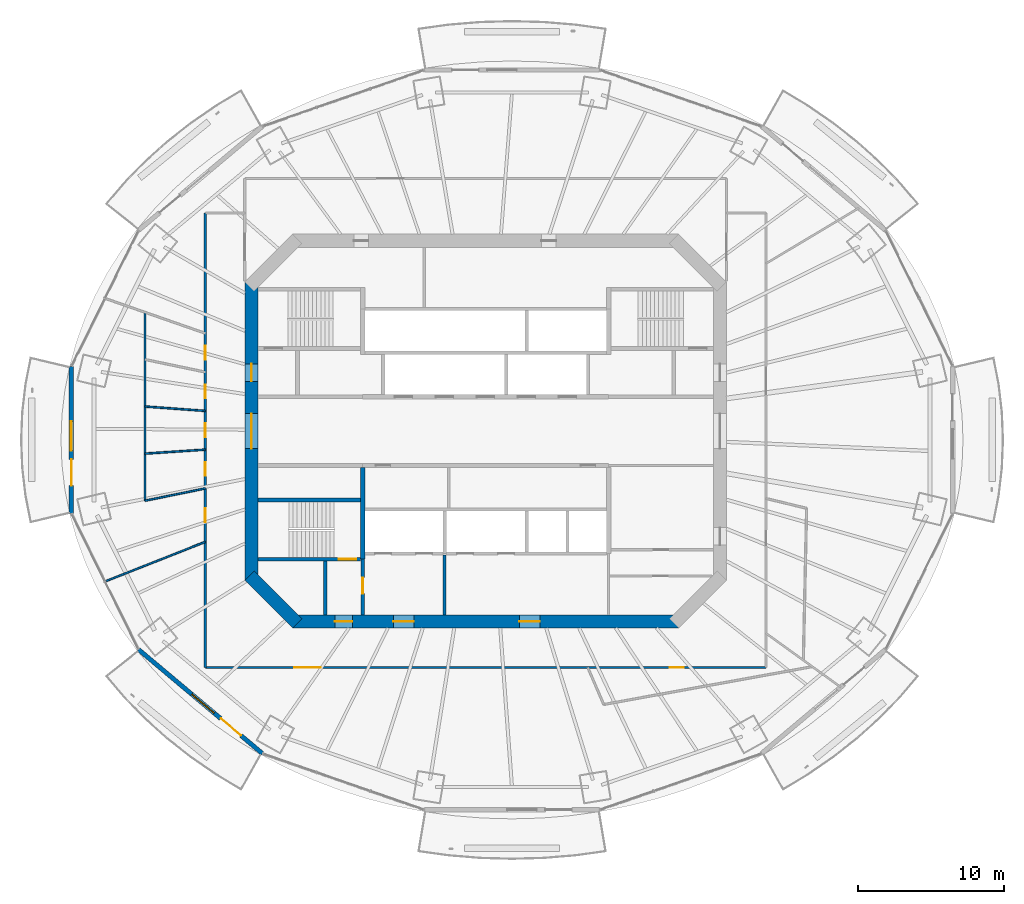
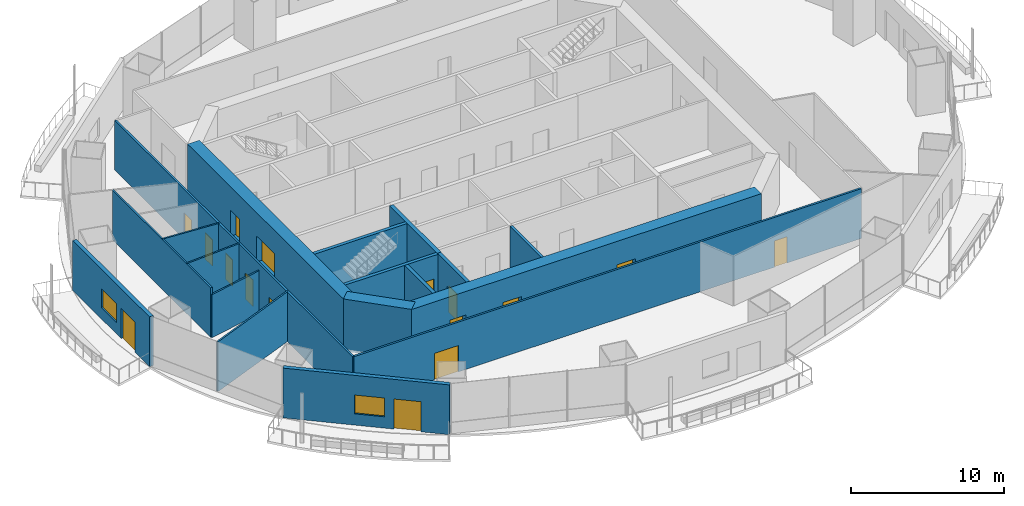
# One storey, part 10 of 19: 18 walls, 16 doors, 2 windows, 18 openings.
"""IFC4 building model written with IfcOpenShell, lengths in metres."""

from ifc_helpers import new_model, si_unit, direction, frame, frame_2d, origin, place, context, subcontext, project, spatial, rectangle, extrude, material, layer, layer_set, type_object, element, fill, save


model = new_model("IFC4")

# Units and contexts
model_context = context("Model", 3, precision=1e-05, world=origin(), true_north=direction((0.0, 1.0)))
body_context = subcontext(model_context, "Body", "Model", "MODEL_VIEW")
ifc_project = project(units=[si_unit("LENGTHUNIT", "METRE"), si_unit("AREAUNIT", "SQUARE_METRE"), si_unit("VOLUMEUNIT", "CUBIC_METRE"), si_unit("PLANEANGLEUNIT", "RADIAN"), si_unit("MASSUNIT", "GRAM", prefix="KILO")], contexts=[model_context])

# Site, building, storey
site_placement = place(None, origin())
site = spatial("IfcSite", under=ifc_project, at=site_placement, CompositionType="ELEMENT")
building_placement = place(site_placement, origin())
building = spatial("IfcBuilding", under=site, at=building_placement, Name="Marenthal Gate Tower", CompositionType="ELEMENT")
storey_placement = place(building_placement, frame((0.0, 0.0, 227.449951171875)))
storey = spatial("IfcBuildingStorey", under=building, at=storey_placement, Name="L50", CompositionType="ELEMENT", Elevation=227.449951171875)

# Wall, openings, doors
ifc_material_1 = material(Name="Concrete 60 MPa", Category="concrete")
ifc_layer_1 = layer(ifc_material_1, 0.89990234375)
ifc_layer_set_1 = layer_set([ifc_layer_1], Name="Core shear wall 900")
wall_type_1 = type_object("IfcWallType", Name="Core shear wall 900", PredefinedType="SHEAR", material=ifc_layer_set_1)
wall_1_placement = place(storey_placement, frame((-16.0, 10.186279296875, -0.179931640625), z_axis=(0.0, 0.0, 1.0), x_axis=(0.0, -1.0, 0.0)))
wall_1 = element("IfcWall", 1, at=wall_1_placement, inside=storey, type_object=wall_type_1, Name="Core wall 06", PredefinedType="SHEAR", context=body_context, shape_type="SweptSolid", body=[
    extrude(rectangle(XDim=20.37255859375, YDim=0.89990234375, at=frame_2d((10.186279296875, 0.0))), origin(), (0.0, 0.0, 1.0), 4.14990234375),
])
opening_1_placement = place(wall_1_placement, frame((8.986328125, 0.0, 0.179931640625)))
opening_1 = element("IfcOpeningElement", 2, at=opening_1_placement, cuts=wall_1, Name="Opening D003.01", PredefinedType="OPENING", context=body_context, shape_type="SweptSolid", body=[
    extrude(rectangle(XDim=2.39990234375, YDim=2.10009765625, at=frame_2d((1.199951171875, 1.050048828125))), frame((0.0, 0.4599609375, 0.0), z_axis=(0.0, -1.0, 0.0), x_axis=(1.0, 0.0, 0.0)), (0.0, 0.0, 1.0), 0.919921875),
])
opening_2_placement = place(wall_1_placement, frame((5.58642578125, 0.0, 0.179931640625)))
opening_2 = element("IfcOpeningElement", 3, at=opening_2_placement, cuts=wall_1, Name="Opening D001.04", PredefinedType="OPENING", context=body_context, shape_type="SweptSolid", body=[
    extrude(rectangle(XDim=1.199951171875, YDim=2.10009765625, at=frame_2d((0.60009765625, 1.050048828125))), frame((0.0, 0.4599609375, 0.0), z_axis=(0.0, -1.0, 0.0), x_axis=(1.0, 0.0, 0.0)), (0.0, 0.0, 1.0), 0.919921875),
])
ifc_material_2 = material(Name="Steel fire door", Category="steel")
door_type_1 = type_object("IfcDoorType", Name="Double fire door FD 45 2400 x 2100", OperationType="DOUBLE_DOOR_SINGLE_SWING", PredefinedType="DOOR", material=ifc_material_2)
door_1_placement = place(opening_1_placement, origin())
door_1 = element("IfcDoor", 4, at=door_1_placement, inside=storey, type_object=door_type_1, Name="Door D003.01", OperationType="DOUBLE_DOOR_SINGLE_SWING", OverallHeight=2.10009765625, OverallWidth=2.39990234375, PredefinedType="DOOR", context=body_context, shape_type="SweptSolid", body=[
    extrude(rectangle(XDim=2.39990234375, YDim=2.10009765625, at=frame_2d((1.199951171875, 1.050048828125))), frame((0.0, 0.02490234375, 0.0), z_axis=(0.0, -1.0, 0.0), x_axis=(1.0, 0.0, 0.0)), (0.0, 0.0, 1.0), 0.050048828125),
])
fill(opening_1, door_1)
ifc_material_3 = material(Name="Steel fire door", Category="steel")
door_type_2 = type_object("IfcDoorType", Name="Fire door FD 90 1200 x 2100", OperationType="NOTDEFINED", PredefinedType="DOOR", material=ifc_material_3)
door_2_placement = place(opening_2_placement, origin())
door_2 = element("IfcDoor", 5, at=door_2_placement, inside=storey, type_object=door_type_2, Name="Door D001.04", OperationType="SINGLE_SWING_RIGHT", OverallHeight=2.10009765625, OverallWidth=1.199951171875, PredefinedType="DOOR", context=body_context, shape_type="SweptSolid", body=[
    extrude(rectangle(XDim=1.199951171875, YDim=2.10009765625, at=frame_2d((0.60009765625, 1.050048828125))), frame((0.0, 0.02490234375, 0.0), z_axis=(0.0, -1.0, 0.0), x_axis=(1.0, 0.0, 0.0)), (0.0, 0.0, 1.0), 0.050048828125),
])
fill(opening_2, door_2)

# Wall
wall_2_placement = place(storey_placement, frame((-16.1318359375, -9.8681640625, -0.179931640625), z_axis=(0.0, 0.0, 1.0), x_axis=(0.707106781187, -0.707106781187, 0.0)))
element("IfcWall", 6, at=wall_2_placement, inside=storey, type_object=wall_type_1, Name="Core wall 07", PredefinedType="SHEAR", context=body_context, shape_type="SweptSolid", body=[
    extrude(rectangle(XDim=4.615478515625, YDim=0.89990234375, at=frame_2d((2.3076171875, 0.0))), origin(), (0.0, 0.0, 1.0), 4.14990234375),
])

# Wall, openings, doors
wall_3_placement = place(storey_placement, frame((-13.186279296875, -13.0, -0.179931640625), z_axis=(0.0, 0.0, 1.0), x_axis=(1.0, 0.0, 0.0)))
wall_3 = element("IfcWall", 7, at=wall_3_placement, inside=storey, type_object=wall_type_1, Name="Core wall 08", PredefinedType="SHEAR", context=body_context, shape_type="SweptSolid", body=[
    extrude(rectangle(XDim=26.37255859375, YDim=0.89990234375, at=frame_2d((13.186279296875, 0.0))), origin(), (0.0, 0.0, 1.0), 4.14990234375),
])
opening_3_placement = place(wall_3_placement, frame((2.886474609375, 0.0, 0.179931640625)))
opening_3 = element("IfcOpeningElement", 8, at=opening_3_placement, cuts=wall_3, Name="Opening D001.06", PredefinedType="OPENING", context=body_context, shape_type="SweptSolid", body=[
    extrude(rectangle(XDim=1.199951171875, YDim=2.10009765625, at=frame_2d((0.60009765625, 1.050048828125))), frame((0.0, 0.4599609375, 0.0), z_axis=(0.0, -1.0, 0.0), x_axis=(1.0, 0.0, 0.0)), (0.0, 0.0, 1.0), 0.919921875),
])
opening_4_placement = place(wall_3_placement, frame((6.886474609375, 0.0, 0.179931640625)))
opening_4 = element("IfcOpeningElement", 9, at=opening_4_placement, cuts=wall_3, Name="Opening D004.01", PredefinedType="OPENING", context=body_context, shape_type="SweptSolid", body=[
    extrude(rectangle(XDim=1.39990234375, YDim=2.10009765625, at=frame_2d((0.699951171875, 1.050048828125))), frame((0.0, 0.4599609375, 0.0), z_axis=(0.0, -1.0, 0.0), x_axis=(1.0, 0.0, 0.0)), (0.0, 0.0, 1.0), 0.919921875),
])
opening_5_placement = place(wall_3_placement, frame((15.486328125, 0.0, 0.179931640625)))
opening_5 = element("IfcOpeningElement", 10, at=opening_5_placement, cuts=wall_3, Name="Opening D004.02", PredefinedType="OPENING", context=body_context, shape_type="SweptSolid", body=[
    extrude(rectangle(XDim=1.39990234375, YDim=2.10009765625, at=frame_2d((0.699951171875, 1.050048828125))), frame((0.0, 0.4599609375, 0.0), z_axis=(0.0, -1.0, 0.0), x_axis=(1.0, 0.0, 0.0)), (0.0, 0.0, 1.0), 0.919921875),
])
ifc_material_4 = material(Name="Steel fire door", Category="steel")
door_type_3 = type_object("IfcDoorType", Name="Fire door FD 45 1400 x 2100", OperationType="NOTDEFINED", PredefinedType="DOOR", material=ifc_material_4)
door_3_placement = place(opening_4_placement, origin())
door_3 = element("IfcDoor", 11, at=door_3_placement, inside=storey, type_object=door_type_3, Name="Door D004.01", OperationType="SINGLE_SWING_RIGHT", OverallHeight=2.10009765625, OverallWidth=1.39990234375, PredefinedType="DOOR", context=body_context, shape_type="SweptSolid", body=[
    extrude(rectangle(XDim=1.39990234375, YDim=2.10009765625, at=frame_2d((0.699951171875, 1.050048828125))), frame((0.0, 0.02490234375, 0.0), z_axis=(0.0, -1.0, 0.0), x_axis=(1.0, 0.0, 0.0)), (0.0, 0.0, 1.0), 0.050048828125),
])
fill(opening_4, door_3)
door_4_placement = place(opening_5_placement, origin())
door_4 = element("IfcDoor", 12, at=door_4_placement, inside=storey, type_object=door_type_3, Name="Door D004.02", OperationType="SINGLE_SWING_RIGHT", OverallHeight=2.10009765625, OverallWidth=1.39990234375, PredefinedType="DOOR", context=body_context, shape_type="SweptSolid", body=[
    extrude(rectangle(XDim=1.39990234375, YDim=2.10009765625, at=frame_2d((0.699951171875, 1.050048828125))), frame((0.0, 0.02490234375, 0.0), z_axis=(0.0, -1.0, 0.0), x_axis=(1.0, 0.0, 0.0)), (0.0, 0.0, 1.0), 0.050048828125),
])
fill(opening_5, door_4)
door_5_placement = place(opening_3_placement, origin())
door_5 = element("IfcDoor", 13, at=door_5_placement, inside=storey, type_object=door_type_2, Name="Door D001.06", OperationType="SINGLE_SWING_RIGHT", OverallHeight=2.10009765625, OverallWidth=1.199951171875, PredefinedType="DOOR", context=body_context, shape_type="SweptSolid", body=[
    extrude(rectangle(XDim=1.199951171875, YDim=2.10009765625, at=frame_2d((0.60009765625, 1.050048828125))), frame((0.0, 0.02490234375, 0.0), z_axis=(0.0, -1.0, 0.0), x_axis=(1.0, 0.0, 0.0)), (0.0, 0.0, 1.0), 0.050048828125),
])
fill(opening_3, door_5)

# Walls
ifc_material_5 = material(Name="Gypsum board on steel studs", Category="steel")
ifc_layer_2 = layer(ifc_material_5, 0.199951171875)
ifc_layer_set_2 = layer_set([ifc_layer_2], Name="Fire lobby wall 200")
wall_type_2 = type_object("IfcWallType", Name="Fire lobby wall 200", PredefinedType="PARTITIONING", material=ifc_layer_set_2)
wall_4_placement = place(storey_placement, frame((-2.800048828125, -12.550048828125, 0.0), z_axis=(0.0, 0.0, 1.0), x_axis=(0.0, 1.0, 0.0)))
element("IfcWall", 14, at=wall_4_placement, inside=storey, type_object=wall_type_2, Name="Fire wall 36", PredefinedType="PARTITIONING", context=body_context, shape_type="SweptSolid", body=[
    extrude(rectangle(XDim=4.090087890625, YDim=0.199951171875, at=frame_2d((2.044921875, 0.0))), origin(), (0.0, 0.0, 1.0), 3.969970703125),
])
ifc_material_6 = material(Name="Concrete 50 MPa", Category="concrete")
ifc_layer_3 = layer(ifc_material_6, 0.300048828125)
ifc_layer_set_3 = layer_set([ifc_layer_3], Name="Hoistway shear wall 300")
wall_type_3 = type_object("IfcWallType", Name="Hoistway shear wall 300", PredefinedType="SHEAR", material=ifc_layer_set_3)
wall_5_placement = place(storey_placement, frame((-8.39990234375, -8.75, -0.179931640625), z_axis=(0.0, 0.0, 1.0), x_axis=(0.0, 1.0, 0.0)))
element("IfcWall", 15, at=wall_5_placement, inside=storey, type_object=wall_type_3, Name="Hoistway wall 31", PredefinedType="SHEAR", context=body_context, shape_type="SweptSolid", body=[
    extrude(rectangle(XDim=6.25, YDim=0.300048828125, at=frame_2d((3.125, 0.0))), origin(), (0.0, 0.0, 1.0), 4.14990234375),
])
ifc_material_7 = material(Name="Gypsum board on steel studs", Category="steel")
ifc_layer_4 = layer(ifc_material_7, 0.1201171875)
ifc_layer_set_4 = layer_set([ifc_layer_4], Name="Partition 120")
wall_type_4 = type_object("IfcWallType", Name="Partition 120", PredefinedType="PARTITIONING", material=ifc_layer_set_4)
wall_6_placement = place(storey_placement, frame((-23.264404296875, -4.751953125, 0.0), z_axis=(0.0, 0.0, 1.0), x_axis=(0.979774293951, 0.200105804295, 0.0)))
element("IfcWall", 16, at=wall_6_placement, inside=storey, type_object=wall_type_4, Name="Partition wall 49", PredefinedType="PARTITIONING", context=body_context, shape_type="SweptSolid", body=[
    extrude(rectangle(XDim=4.199462890625, YDim=0.1201171875, at=frame_2d((2.099609375, 0.0))), origin(), (0.0, 0.0, 1.0), 3.43408203125),
])
wall_7_placement = place(storey_placement, frame((-23.264404296875, -1.535400390625, 0.0), z_axis=(0.0, 0.0, 1.0), x_axis=(0.99783024909, 0.065839152494, 0.0)))
element("IfcWall", 17, at=wall_7_placement, inside=storey, type_object=wall_type_4, Name="Partition wall 50", PredefinedType="PARTITIONING", context=body_context, shape_type="SweptSolid", body=[
    extrude(rectangle(XDim=4.12353515625, YDim=0.1201171875, at=frame_2d((2.061767578125, 0.0))), origin(), (0.0, 0.0, 1.0), 3.969970703125),
])
wall_8_placement = place(storey_placement, frame((-23.264404296875, 1.680908203125, 0.0), z_axis=(0.0, 0.0, 1.0), x_axis=(0.997402818869, -0.07202511307, 0.0)))
element("IfcWall", 18, at=wall_8_placement, inside=storey, type_object=wall_type_4, Name="Partition wall 51", PredefinedType="PARTITIONING", context=body_context, shape_type="SweptSolid", body=[
    extrude(rectangle(XDim=4.125244140625, YDim=0.1201171875, at=frame_2d((2.0625, 0.0))), origin(), (0.0, 0.0, 1.0), 3.969970703125),
])
wall_9_placement = place(storey_placement, frame((-23.264404296875, 8.11376953125, 0.0), z_axis=(0.0, 0.0, 1.0), x_axis=(0.0, -1.0, 0.0)))
element("IfcWall", 19, at=wall_9_placement, inside=storey, type_object=wall_type_4, Name="Partition wall 53", PredefinedType="PARTITIONING", context=body_context, shape_type="SweptSolid", body=[
    extrude(rectangle(XDim=12.86572265625, YDim=0.1201171875, at=frame_2d((6.432861328125, 0.0))), origin(), (0.0, 0.0, 1.0), 3.969970703125),
])
wall_10_placement = place(storey_placement, frame((-19.14990234375, -7.5625, 0.0), z_axis=(0.0, 0.0, 1.0), x_axis=(-0.930098365243, -0.367310537518, 0.0)))
element("IfcWall", 20, at=wall_10_placement, inside=storey, type_object=wall_type_4, Name="Partition wall 55", PredefinedType="PARTITIONING", context=body_context, shape_type="SweptSolid", body=[
    extrude(rectangle(XDim=7.37255859375, YDim=0.1201171875, at=frame_2d((3.686279296875, 0.0))), origin(), (0.0, 0.0, 1.0), 3.969970703125),
])

# Wall, openings, doors
ifc_material_8 = material(Name="Gypsum board on steel studs", Category="steel")
ifc_layer_5 = layer(ifc_material_8, 0.14990234375)
ifc_layer_set_5 = layer_set([ifc_layer_5], Name="Partition 150")
wall_type_5 = type_object("IfcWallType", Name="Partition 150", PredefinedType="PARTITIONING", material=ifc_layer_set_5)
wall_11_placement = place(storey_placement, frame((-19.14990234375, -16.14990234375, 0.0), z_axis=(0.0, 0.0, 1.0), x_axis=(0.0, 1.0, 0.0)))
wall_11 = element("IfcWall", 21, at=wall_11_placement, inside=storey, type_object=wall_type_5, Name="Partition wall 54", PredefinedType="PARTITIONING", context=body_context, shape_type="SweptSolid", body=[
    extrude(rectangle(XDim=31.0498046875, YDim=0.14990234375, at=frame_2d((15.52490234375, 0.0))), origin(), (0.0, 0.0, 1.0), 3.969970703125),
])
opening_6_placement = place(wall_11_placement, frame((21.030029296875, 0.0, 0.0)))
opening_6 = element("IfcOpeningElement", 22, at=opening_6_placement, cuts=wall_11, Name="Opening D016.01", PredefinedType="OPENING", context=body_context, shape_type="SweptSolid", body=[
    extrude(rectangle(XDim=0.949951171875, YDim=2.10009765625, at=frame_2d((0.47509765625, 1.050048828125))), frame((0.0, 0.0849609375, 0.0), z_axis=(0.0, -1.0, 0.0), x_axis=(1.0, 0.0, 0.0)), (0.0, 0.0, 1.0), 0.169921875),
])
opening_7_placement = place(wall_11_placement, frame((18.382080078125, 0.0, 0.0)))
opening_7 = element("IfcOpeningElement", 23, at=opening_7_placement, cuts=wall_11, Name="Opening D016.02", PredefinedType="OPENING", context=body_context, shape_type="SweptSolid", body=[
    extrude(rectangle(XDim=0.949951171875, YDim=2.10009765625, at=frame_2d((0.47509765625, 1.050048828125))), frame((0.0, 0.0849609375, 0.0), z_axis=(0.0, -1.0, 0.0), x_axis=(1.0, 0.0, 0.0)), (0.0, 0.0, 1.0), 0.169921875),
])
opening_8_placement = place(wall_11_placement, frame((15.735107421875, 0.0, 0.0)))
opening_8 = element("IfcOpeningElement", 24, at=opening_8_placement, cuts=wall_11, Name="Opening D016.03", PredefinedType="OPENING", context=body_context, shape_type="SweptSolid", body=[
    extrude(rectangle(XDim=0.949951171875, YDim=2.10009765625, at=frame_2d((0.47509765625, 1.050048828125))), frame((0.0, 0.0849609375, 0.0), z_axis=(0.0, -1.0, 0.0), x_axis=(1.0, 0.0, 0.0)), (0.0, 0.0, 1.0), 0.169921875),
])
opening_9_placement = place(wall_11_placement, frame((13.0869140625, 0.0, 0.0)))
opening_9 = element("IfcOpeningElement", 25, at=opening_9_placement, cuts=wall_11, Name="Opening D016.04", PredefinedType="OPENING", context=body_context, shape_type="SweptSolid", body=[
    extrude(rectangle(XDim=0.949951171875, YDim=2.10009765625, at=frame_2d((0.47509765625, 1.050048828125))), frame((0.0, 0.0849609375, 0.0), z_axis=(0.0, -1.0, 0.0), x_axis=(1.0, 0.0, 0.0)), (0.0, 0.0, 1.0), 0.169921875),
])
opening_10_placement = place(wall_11_placement, frame((9.93798828125, 0.0, 0.0)))
opening_10 = element("IfcOpeningElement", 26, at=opening_10_placement, cuts=wall_11, Name="Opening D016.05", PredefinedType="OPENING", context=body_context, shape_type="SweptSolid", body=[
    extrude(rectangle(XDim=0.949951171875, YDim=2.10009765625, at=frame_2d((0.47509765625, 1.050048828125))), frame((0.0, 0.0849609375, 0.0), z_axis=(0.0, -1.0, 0.0), x_axis=(1.0, 0.0, 0.0)), (0.0, 0.0, 1.0), 0.169921875),
])
ifc_material_9 = material(Name="Timber door", Category="wood")
door_type_4 = type_object("IfcDoorType", Name="Door 950 x 2100", OperationType="NOTDEFINED", PredefinedType="DOOR", material=ifc_material_9)
door_6_placement = place(opening_6_placement, origin())
door_6 = element("IfcDoor", 27, at=door_6_placement, inside=storey, type_object=door_type_4, Name="Door D016.01", OperationType="SINGLE_SWING_RIGHT", OverallHeight=2.10009765625, OverallWidth=0.949951171875, PredefinedType="DOOR", context=body_context, shape_type="SweptSolid", body=[
    extrude(rectangle(XDim=0.949951171875, YDim=2.10009765625, at=frame_2d((0.47509765625, 1.050048828125))), frame((0.0, 0.02490234375, 0.0), z_axis=(0.0, -1.0, 0.0), x_axis=(1.0, 0.0, 0.0)), (0.0, 0.0, 1.0), 0.050048828125),
])
fill(opening_6, door_6)
door_7_placement = place(opening_7_placement, origin())
door_7 = element("IfcDoor", 28, at=door_7_placement, inside=storey, type_object=door_type_4, Name="Door D016.02", OperationType="SINGLE_SWING_RIGHT", OverallHeight=2.10009765625, OverallWidth=0.949951171875, PredefinedType="DOOR", context=body_context, shape_type="SweptSolid", body=[
    extrude(rectangle(XDim=0.949951171875, YDim=2.10009765625, at=frame_2d((0.47509765625, 1.050048828125))), frame((0.0, 0.02490234375, 0.0), z_axis=(0.0, -1.0, 0.0), x_axis=(1.0, 0.0, 0.0)), (0.0, 0.0, 1.0), 0.050048828125),
])
fill(opening_7, door_7)
door_8_placement = place(opening_8_placement, origin())
door_8 = element("IfcDoor", 29, at=door_8_placement, inside=storey, type_object=door_type_4, Name="Door D016.03", OperationType="SINGLE_SWING_RIGHT", OverallHeight=2.10009765625, OverallWidth=0.949951171875, PredefinedType="DOOR", context=body_context, shape_type="SweptSolid", body=[
    extrude(rectangle(XDim=0.949951171875, YDim=2.10009765625, at=frame_2d((0.47509765625, 1.050048828125))), frame((0.0, 0.02490234375, 0.0), z_axis=(0.0, -1.0, 0.0), x_axis=(1.0, 0.0, 0.0)), (0.0, 0.0, 1.0), 0.050048828125),
])
fill(opening_8, door_8)
door_9_placement = place(opening_9_placement, origin())
door_9 = element("IfcDoor", 30, at=door_9_placement, inside=storey, type_object=door_type_4, Name="Door D016.04", OperationType="SINGLE_SWING_RIGHT", OverallHeight=2.10009765625, OverallWidth=0.949951171875, PredefinedType="DOOR", context=body_context, shape_type="SweptSolid", body=[
    extrude(rectangle(XDim=0.949951171875, YDim=2.10009765625, at=frame_2d((0.47509765625, 1.050048828125))), frame((0.0, 0.02490234375, 0.0), z_axis=(0.0, -1.0, 0.0), x_axis=(1.0, 0.0, 0.0)), (0.0, 0.0, 1.0), 0.050048828125),
])
fill(opening_9, door_9)
door_10_placement = place(opening_10_placement, origin())
door_10 = element("IfcDoor", 31, at=door_10_placement, inside=storey, type_object=door_type_4, Name="Door D016.05", OperationType="SINGLE_SWING_RIGHT", OverallHeight=2.10009765625, OverallWidth=0.949951171875, PredefinedType="DOOR", context=body_context, shape_type="SweptSolid", body=[
    extrude(rectangle(XDim=0.949951171875, YDim=2.10009765625, at=frame_2d((0.47509765625, 1.050048828125))), frame((0.0, 0.02490234375, 0.0), z_axis=(0.0, -1.0, 0.0), x_axis=(1.0, 0.0, 0.0)), (0.0, 0.0, 1.0), 0.050048828125),
])
fill(opening_10, door_10)

wall_12_placement = place(storey_placement, frame((19.14990234375, -16.14990234375, 0.0), z_axis=(0.0, 0.0, 1.0), x_axis=(-1.0, 0.0, 0.0)))
wall_12 = element("IfcWall", 32, at=wall_12_placement, inside=storey, type_object=wall_type_5, Name="Partition wall 64", PredefinedType="PARTITIONING", context=body_context, shape_type="SweptSolid", body=[
    extrude(rectangle(XDim=38.2998046875, YDim=0.14990234375, at=frame_2d((19.14990234375, 0.0))), origin(), (0.0, 0.0, 1.0), 3.969970703125),
])
opening_11_placement = place(wall_12_placement, frame((5.611083984375, 0.0, 0.0)))
opening_11 = element("IfcOpeningElement", 33, at=opening_11_placement, cuts=wall_12, Name="Opening D016.06", PredefinedType="OPENING", context=body_context, shape_type="SweptSolid", body=[
    extrude(rectangle(XDim=0.949951171875, YDim=2.10009765625, at=frame_2d((0.47509765625, 1.050048828125))), frame((0.0, 0.0849609375, 0.0), z_axis=(0.0, -1.0, 0.0), x_axis=(1.0, 0.0, 0.0)), (0.0, 0.0, 1.0), 0.169921875),
])
opening_12_placement = place(wall_12_placement, frame((30.4140625, 0.0, 0.0)))
opening_12 = element("IfcOpeningElement", 34, at=opening_12_placement, cuts=wall_12, Name="Opening D014.02", PredefinedType="OPENING", context=body_context, shape_type="SweptSolid", body=[
    extrude(rectangle(XDim=1.800048828125, YDim=2.10009765625, at=frame_2d((0.89990234375, 1.050048828125))), frame((0.0, 0.0849609375, 0.0), z_axis=(0.0, -1.0, 0.0), x_axis=(1.0, 0.0, 0.0)), (0.0, 0.0, 1.0), 0.169921875),
])
door_11_placement = place(opening_11_placement, origin())
door_11 = element("IfcDoor", 35, at=door_11_placement, inside=storey, type_object=door_type_4, Name="Door D016.06", OperationType="SINGLE_SWING_RIGHT", OverallHeight=2.10009765625, OverallWidth=0.949951171875, PredefinedType="DOOR", context=body_context, shape_type="SweptSolid", body=[
    extrude(rectangle(XDim=0.949951171875, YDim=2.10009765625, at=frame_2d((0.47509765625, 1.050048828125))), frame((0.0, 0.02490234375, 0.0), z_axis=(0.0, -1.0, 0.0), x_axis=(1.0, 0.0, 0.0)), (0.0, 0.0, 1.0), 0.050048828125),
])
fill(opening_11, door_11)
ifc_material_10 = material(Name="Timber door", Category="wood")
door_type_5 = type_object("IfcDoorType", Name="Double door 1800 x 2100", OperationType="DOUBLE_DOOR_SINGLE_SWING", PredefinedType="DOOR", material=ifc_material_10)
door_12_placement = place(opening_12_placement, origin())
door_12 = element("IfcDoor", 36, at=door_12_placement, inside=storey, type_object=door_type_5, Name="Door D014.02", OperationType="DOUBLE_DOOR_SINGLE_SWING", OverallHeight=2.10009765625, OverallWidth=1.800048828125, PredefinedType="DOOR", context=body_context, shape_type="SweptSolid", body=[
    extrude(rectangle(XDim=1.800048828125, YDim=2.10009765625, at=frame_2d((0.89990234375, 1.050048828125))), frame((0.0, 0.02490234375, 0.0), z_axis=(0.0, -1.0, 0.0), x_axis=(1.0, 0.0, 0.0)), (0.0, 0.0, 1.0), 0.050048828125),
])
fill(opening_12, door_12)

# Wall
ifc_material_11 = material(Name="Concrete 40 MPa", Category="concrete")
ifc_layer_6 = layer(ifc_material_11, 0.25)
ifc_layer_set_6 = layer_set([ifc_layer_6], Name="Stair enclosure wall 250")
wall_type_6 = type_object("IfcWallType", Name="Stair enclosure wall 250", PredefinedType="STANDARD", material=ifc_layer_set_6)
wall_13_placement = place(storey_placement, frame((-10.949951171875, -12.550048828125, 0.0), z_axis=(0.0, 0.0, 1.0), x_axis=(0.0, 1.0, 0.0)))
element("IfcWall", 37, at=wall_13_placement, inside=storey, type_object=wall_type_6, Name="Stair wall 29", PredefinedType="STANDARD", context=body_context, shape_type="SweptSolid", body=[
    extrude(rectangle(XDim=3.675048828125, YDim=0.25, at=frame_2d((1.83740234375, 0.0))), origin(), (0.0, 0.0, 1.0), 3.969970703125),
])

# Wall, opening, door
wall_14_placement = place(storey_placement, frame((-8.39990234375, -12.550048828125, 0.0), z_axis=(0.0, 0.0, 1.0), x_axis=(0.0, 1.0, 0.0)))
wall_14 = element("IfcWall", 38, at=wall_14_placement, inside=storey, type_object=wall_type_6, Name="Stair wall 30", PredefinedType="STANDARD", context=body_context, shape_type="SweptSolid", body=[
    extrude(rectangle(XDim=3.800048828125, YDim=0.25, at=frame_2d((1.89990234375, 0.0))), origin(), (0.0, 0.0, 1.0), 3.969970703125),
])
opening_13_placement = place(wall_14_placement, frame((1.449951171875, 0.0, 0.0)))
opening_13 = element("IfcOpeningElement", 39, at=opening_13_placement, cuts=wall_14, Name="Opening D002.01", PredefinedType="OPENING", context=body_context, shape_type="SweptSolid", body=[
    extrude(rectangle(XDim=1.10009765625, YDim=2.10009765625, at=frame_2d((0.550048828125, 1.050048828125))), frame((0.0, 0.135009765625, 0.0), z_axis=(0.0, -1.0, 0.0), x_axis=(1.0, 0.0, 0.0)), (0.0, 0.0, 1.0), 0.27001953125),
])
ifc_material_12 = material(Name="Steel fire door", Category="steel")
door_type_6 = type_object("IfcDoorType", Name="Fire door FD 90 1100 x 2100", OperationType="NOTDEFINED", PredefinedType="DOOR", material=ifc_material_12)
door_13_placement = place(opening_13_placement, origin())
door_13 = element("IfcDoor", 40, at=door_13_placement, inside=storey, type_object=door_type_6, Name="Door D002.01", OperationType="SINGLE_SWING_RIGHT", OverallHeight=2.10009765625, OverallWidth=1.10009765625, PredefinedType="DOOR", context=body_context, shape_type="SweptSolid", body=[
    extrude(rectangle(XDim=1.10009765625, YDim=2.10009765625, at=frame_2d((0.550048828125, 1.050048828125))), frame((0.0, 0.02490234375, 0.0), z_axis=(0.0, -1.0, 0.0), x_axis=(1.0, 0.0, 0.0)), (0.0, 0.0, 1.0), 0.050048828125),
])
fill(opening_13, door_13)

ifc_material_13 = material(Name="Concrete 50 MPa", Category="concrete")
ifc_layer_7 = layer(ifc_material_13, 0.25)
ifc_layer_set_7 = layer_set([ifc_layer_7], Name="Stair shear wall 250")
wall_type_7 = type_object("IfcWallType", Name="Stair shear wall 250", PredefinedType="SHEAR", material=ifc_layer_set_7)
wall_15_placement = place(storey_placement, frame((-15.550048828125, -8.75, -0.179931640625), z_axis=(0.0, 0.0, 1.0), x_axis=(1.0, 0.0, 0.0)))
wall_15 = element("IfcWall", 41, at=wall_15_placement, inside=storey, type_object=wall_type_7, Name="Stair wall 10", PredefinedType="SHEAR", context=body_context, shape_type="SweptSolid", body=[
    extrude(rectangle(XDim=7.0, YDim=0.25, at=frame_2d((3.5, 0.0))), origin(), (0.0, 0.0, 1.0), 4.14990234375),
])
opening_14_placement = place(wall_15_placement, frame((5.5, 0.0, 0.179931640625)))
opening_14 = element("IfcOpeningElement", 42, at=opening_14_placement, cuts=wall_15, Name="Opening D001.03", PredefinedType="OPENING", context=body_context, shape_type="SweptSolid", body=[
    extrude(rectangle(XDim=1.199951171875, YDim=2.10009765625, at=frame_2d((0.60009765625, 1.050048828125))), frame((0.0, 0.135009765625, 0.0), z_axis=(0.0, -1.0, 0.0), x_axis=(1.0, 0.0, 0.0)), (0.0, 0.0, 1.0), 0.27001953125),
])
door_14_placement = place(opening_14_placement, origin())
door_14 = element("IfcDoor", 43, at=door_14_placement, inside=storey, type_object=door_type_2, Name="Door D001.03", OperationType="SINGLE_SWING_RIGHT", OverallHeight=2.10009765625, OverallWidth=1.199951171875, PredefinedType="DOOR", context=body_context, shape_type="SweptSolid", body=[
    extrude(rectangle(XDim=1.199951171875, YDim=2.10009765625, at=frame_2d((0.60009765625, 1.050048828125))), frame((0.0, 0.02490234375, 0.0), z_axis=(0.0, -1.0, 0.0), x_axis=(1.0, 0.0, 0.0)), (0.0, 0.0, 1.0), 0.050048828125),
])
fill(opening_14, door_14)

# Wall
wall_16_placement = place(storey_placement, frame((-15.550048828125, -4.699951171875, -0.179931640625), z_axis=(0.0, 0.0, 1.0), x_axis=(1.0, 0.0, 0.0)))
element("IfcWall", 44, at=wall_16_placement, inside=storey, type_object=wall_type_7, Name="Stair wall 15", PredefinedType="SHEAR", context=body_context, shape_type="SweptSolid", body=[
    extrude(rectangle(XDim=7.0, YDim=0.25, at=frame_2d((3.5, 0.0))), origin(), (0.0, 0.0, 1.0), 4.14990234375),
])

# Wall, openings, door, window
ifc_material_14 = material(Name="Terracotta cladding on insulated concrete-block backing", Category="masonry")
ifc_layer_8 = layer(ifc_material_14, 0.300048828125)
ifc_layer_set_8 = layer_set([ifc_layer_8], Name="Terracotta facade wall 300")
wall_type_8 = type_object("IfcWallType", Name="Terracotta facade wall 300", PredefinedType="SOLIDWALL", material=ifc_layer_set_8)
wall_17_placement = place(storey_placement, frame((-28.29833984375, 4.426513671875, 0.0), z_axis=(0.0, 0.0, 1.0), x_axis=(0.0, -1.0, 0.0)))
wall_17 = element("IfcWall", 45, at=wall_17_placement, inside=storey, type_object=wall_type_8, Name="Terracotta facade wall L50 bay 8", PredefinedType="SOLIDWALL", context=body_context, shape_type="SweptSolid", body=[
    extrude(rectangle(XDim=10.052978515625, YDim=0.300048828125, at=frame_2d((5.0263671875, 0.0))), origin(), (0.0, 0.0, 1.0), 3.969970703125),
])
opening_15_placement = place(wall_17_placement, frame((6.35302734375, 0.0, 0.0)))
opening_15 = element("IfcOpeningElement", 46, at=opening_15_placement, cuts=wall_17, Name="Opening BD-L50-08", PredefinedType="OPENING", context=body_context, shape_type="SweptSolid", body=[
    extrude(rectangle(XDim=1.800048828125, YDim=2.39990234375, at=frame_2d((0.89990234375, 1.199951171875))), frame((0.0, 0.16015625, 0.0), z_axis=(0.0, -1.0, 0.0), x_axis=(1.0, 0.0, 0.0)), (0.0, 0.0, 1.0), 0.320068359375),
])
opening_16_placement = place(wall_17_placement, frame((3.7529296875, 0.0, 0.89990234375)))
opening_16 = element("IfcOpeningElement", 47, at=opening_16_placement, cuts=wall_17, Name="Opening WN2-L50-08", PredefinedType="OPENING", context=body_context, shape_type="SweptSolid", body=[
    extrude(rectangle(XDim=2.0, YDim=1.5, at=frame_2d((1.0, 0.75))), frame((0.0, 0.16015625, 0.0), z_axis=(0.0, -1.0, 0.0), x_axis=(1.0, 0.0, 0.0)), (0.0, 0.0, 1.0), 0.320068359375),
])
ifc_material_15 = material(Name="Aluminium and glass", Category="aluminium")
door_type_7 = type_object("IfcDoorType", Name="Balcony door 1800x2400", OperationType="DOUBLE_DOOR_SINGLE_SWING", PredefinedType="DOOR", material=ifc_material_15)
door_15_placement = place(opening_15_placement, origin())
door_15 = element("IfcDoor", 48, at=door_15_placement, inside=storey, type_object=door_type_7, Name="Balcony door L50 bay 8", OperationType="SINGLE_SWING_LEFT", OverallHeight=2.39990234375, OverallWidth=1.800048828125, PredefinedType="DOOR", context=body_context, shape_type="SweptSolid", body=[
    extrude(rectangle(XDim=1.800048828125, YDim=2.39990234375, at=frame_2d((0.89990234375, 1.199951171875))), frame((0.0, 0.02490234375, 0.0), z_axis=(0.0, -1.0, 0.0), x_axis=(1.0, 0.0, 0.0)), (0.0, 0.0, 1.0), 0.050048828125),
])
fill(opening_15, door_15)
ifc_material_16 = material(Name="Aluminium and glass", Category="aluminium")
window_type = type_object("IfcWindowType", Name="Window 2000x1500", PartitioningType="DOUBLE_PANEL_VERTICAL", PredefinedType="WINDOW", material=ifc_material_16)
window_1_placement = place(opening_16_placement, origin())
window_1 = element("IfcWindow", 49, at=window_1_placement, inside=storey, type_object=window_type, Name="Window L50 bay 8", OverallHeight=1.5, OverallWidth=2.0, PartitioningType="SINGLE_PANEL", PredefinedType="WINDOW", context=body_context, shape_type="SweptSolid", body=[
    extrude(rectangle(XDim=2.0, YDim=1.5, at=frame_2d((1.0, 0.75))), frame((0.0, 0.030029296875, 0.0), z_axis=(0.0, -1.0, 0.0), x_axis=(1.0, 0.0, 0.0)), (0.0, 0.0, 1.0), 0.06005859375),
])
fill(opening_16, window_1)

wall_18_placement = place(storey_placement, frame((-23.716064453125, -14.914306640625, 0.0), z_axis=(0.0, 0.0, 1.0), x_axis=(0.765870158107, -0.642995257308, 0.0)))
wall_18 = element("IfcWall", 50, at=wall_18_placement, inside=storey, type_object=wall_type_8, Name="Terracotta facade wall L50 bay 10", PredefinedType="SOLIDWALL", context=body_context, shape_type="SweptSolid", body=[
    extrude(rectangle(XDim=11.05517578125, YDim=0.300048828125, at=frame_2d((5.527587890625, 0.0))), origin(), (0.0, 0.0, 1.0), 3.969970703125),
])
opening_17_placement = place(wall_18_placement, frame((7.355224609375, 0.0, 0.0)))
opening_17 = element("IfcOpeningElement", 51, at=opening_17_placement, cuts=wall_18, Name="Opening BD-L50-10", PredefinedType="OPENING", context=body_context, shape_type="SweptSolid", body=[
    extrude(rectangle(XDim=1.800048828125, YDim=2.39990234375, at=frame_2d((0.89990234375, 1.199951171875))), frame((0.0, 0.16015625, 0.0), z_axis=(0.0, -1.0, 0.0), x_axis=(1.0, 0.0, 0.0)), (0.0, 0.0, 1.0), 0.320068359375),
])
opening_18_placement = place(wall_18_placement, frame((4.755126953125, 0.0, 0.89990234375)))
opening_18 = element("IfcOpeningElement", 52, at=opening_18_placement, cuts=wall_18, Name="Opening WN2-L50-10", PredefinedType="OPENING", context=body_context, shape_type="SweptSolid", body=[
    extrude(rectangle(XDim=2.0, YDim=1.5, at=frame_2d((1.0, 0.75))), frame((0.0, 0.16015625, 0.0), z_axis=(0.0, -1.0, 0.0), x_axis=(1.0, 0.0, 0.0)), (0.0, 0.0, 1.0), 0.320068359375),
])
door_16_placement = place(opening_17_placement, origin())
door_16 = element("IfcDoor", 53, at=door_16_placement, inside=storey, type_object=door_type_7, Name="Balcony door L50 bay 10", OperationType="SINGLE_SWING_LEFT", OverallHeight=2.39990234375, OverallWidth=1.800048828125, PredefinedType="DOOR", context=body_context, shape_type="SweptSolid", body=[
    extrude(rectangle(XDim=1.800048828125, YDim=2.39990234375, at=frame_2d((0.89990234375, 1.199951171875))), frame((0.0, 0.02490234375, 0.0), z_axis=(0.0, -1.0, 0.0), x_axis=(1.0, 0.0, 0.0)), (0.0, 0.0, 1.0), 0.050048828125),
])
fill(opening_17, door_16)
window_2_placement = place(opening_18_placement, origin())
window_2 = element("IfcWindow", 54, at=window_2_placement, inside=storey, type_object=window_type, Name="Window L50 bay 10", OverallHeight=1.5, OverallWidth=2.0, PartitioningType="SINGLE_PANEL", PredefinedType="WINDOW", context=body_context, shape_type="SweptSolid", body=[
    extrude(rectangle(XDim=2.0, YDim=1.5, at=frame_2d((1.0, 0.75))), frame((0.0, 0.030029296875, 0.0), z_axis=(0.0, -1.0, 0.0), x_axis=(1.0, 0.0, 0.0)), (0.0, 0.0, 1.0), 0.06005859375),
])
fill(opening_18, window_2)

save(model, "model.ifc")
